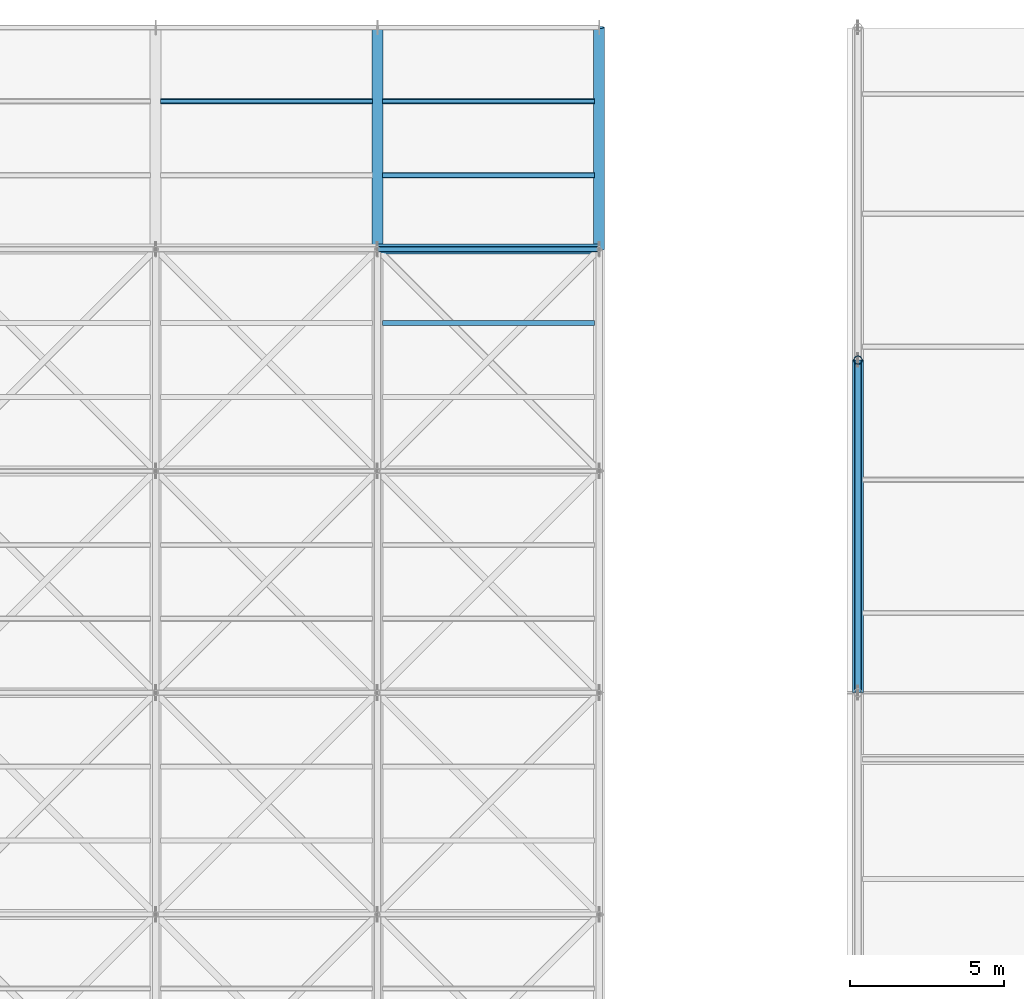
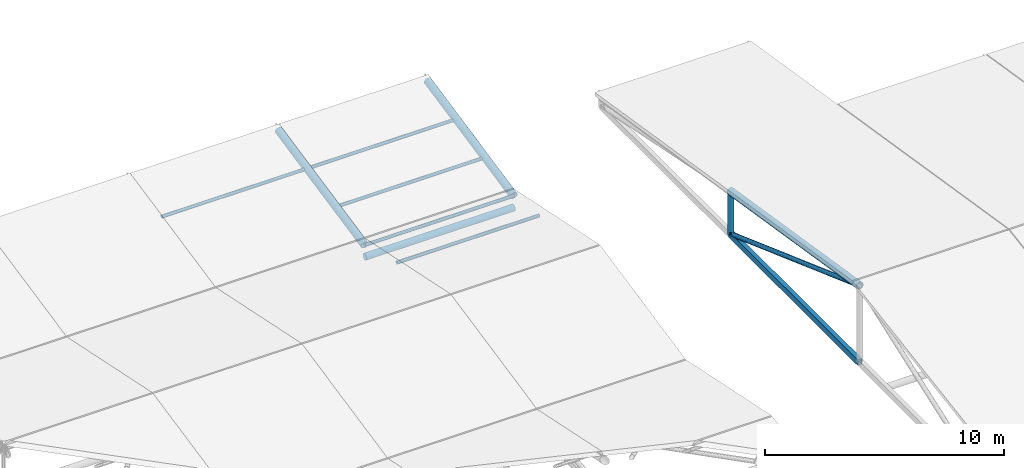
# One storey, part 38 of 72: 8 members, 4 beams.
"""IFC4 building model written with IfcOpenShell, lengths in metres."""

from ifc_helpers import new_model, si_unit, direction, frame, origin, origin_2d, place, context, subcontext, project, spatial, hollow_rectangle, hollow_circle, extrude, material, material_profile, profile_set, type_object, element, save


model = new_model("IFC4")

# Units and contexts
model_context = context("Model", 3, precision=1e-05, world=origin(), true_north=direction((0.0, 1.0)))
body_context = subcontext(model_context, "Body", "Model", "MODEL_VIEW")
ifc_project = project(units=[si_unit("LENGTHUNIT", "METRE"), si_unit("AREAUNIT", "SQUARE_METRE"), si_unit("VOLUMEUNIT", "CUBIC_METRE"), si_unit("PLANEANGLEUNIT", "RADIAN"), si_unit("MASSUNIT", "GRAM", prefix="KILO")], contexts=[model_context])

# Site, building, storey
site_placement = place(None, origin())
site = spatial("IfcSite", under=ifc_project, at=site_placement, CompositionType="ELEMENT")
building_placement = place(site_placement, origin())
building = spatial("IfcBuilding", under=site, at=building_placement, Name="Vaelcorin Mobility Hub", CompositionType="ELEMENT")
storey_placement = place(building_placement, frame((0.0, 0.0, 25.800048828125)))
storey = spatial("IfcBuildingStorey", under=building, at=storey_placement, Name="RF", CompositionType="ELEMENT", Elevation=25.800048828125)

# Members
ifc_material = material(Name="Steel ASTM A500 Grade C", Category="steel")
ifc_material_profile_1 = material_profile(ifc_material, hollow_circle(Radius=0.161865234375, WallThickness=0.0126953125, at=origin_2d()), Name="HSS12.750X0.500")
ifc_profile_set_1 = profile_set([ifc_material_profile_1], Name="Steel ASTM A500 Grade C")
member_type_1 = type_object("IfcMemberType", Name="SF-CHORD-12", PredefinedType="CHORD", material=ifc_profile_set_1)
member_1_placement = place(storey_placement, frame((108.0, 112.800048828125, -2.10009765625), z_axis=(1.0, 0.0, 0.0), x_axis=(0.0, 1.0, 0.0)))
element("IfcMember", 1, at=member_1_placement, inside=storey, type_object=member_type_1, Name="Sports Truss Lower Tie Strut 11-4", PredefinedType="CHORD", context=body_context, shape_type="SweptSolid", body=[
    extrude(hollow_circle(Radius=0.161865234375, WallThickness=0.0126953125, at=origin_2d()), origin(), (0.0, 0.0, 1.0), 7.199951171875),
])
ifc_material_profile_2 = material_profile(ifc_material, hollow_circle(Radius=0.136474609375, WallThickness=0.0126953125, at=origin_2d()), Name="HSS10.750X0.500")
ifc_profile_set_2 = profile_set([ifc_material_profile_2], Name="Steel ASTM A500 Grade C")
member_type_2 = type_object("IfcMemberType", Name="SF-POST-10", PredefinedType="POST", material=ifc_profile_set_2)
member_2_placement = place(storey_placement, frame((123.60009765625, 109.199951171875, -4.199951171875), z_axis=(0.0, 0.0, 1.0), x_axis=(1.0, 0.0, 0.0)))
element("IfcMember", 2, at=member_2_placement, inside=storey, type_object=member_type_2, Name="V2E Drum Roof Truss Post 1-3", PredefinedType="POST", context=body_context, shape_type="SweptSolid", body=[
    extrude(hollow_circle(Radius=0.136474609375, WallThickness=0.0126953125, at=origin_2d()), origin(), (0.0, 0.0, 1.0), 2.171875),
])
ifc_material_profile_3 = material_profile(ifc_material, hollow_circle(Radius=0.084228515625, WallThickness=0.0078125, at=origin_2d()), Name="HSS6.625X0.312")
ifc_profile_set_3 = profile_set([ifc_material_profile_3], Name="Steel ASTM A500 Grade C")
member_type_3 = type_object("IfcMemberType", Name="SF-PURL-6", PredefinedType="PURLIN", material=ifc_profile_set_3)
member_3_placement = place(storey_placement, frame((100.9599609375, 117.60009765625, -0.5), z_axis=(1.0, 0.0, 0.0), x_axis=(0.0, 1.0, 0.0)))
element("IfcMember", 3, at=member_3_placement, inside=storey, type_object=member_type_3, Name="Sports Roof Secondary Purlin 10-5-2", PredefinedType="PURLIN", context=body_context, shape_type="SweptSolid", body=[
    extrude(hollow_circle(Radius=0.084228515625, WallThickness=0.0078125, at=origin_2d()), origin(), (0.0, 0.0, 1.0), 6.880126953125),
])
member_4_placement = place(storey_placement, frame((108.0, 112.800048828125, -1.5), z_axis=(1.0, 0.0, 0.0), x_axis=(0.0, 1.0, 0.0)))
element("IfcMember", 4, at=member_4_placement, inside=storey, type_object=member_type_3, Name="Sports Pavilion Roof Purlin 11-4", PredefinedType="PURLIN", context=body_context, shape_type="SweptSolid", body=[
    extrude(hollow_circle(Radius=0.084228515625, WallThickness=0.0078125, at=origin_2d()), origin(), (0.0, 0.0, 1.0), 7.199951171875),
])
for number, where, z_axis, x_axis, name in (
    (5, (108.159912109375, 110.39990234375, -1.0), (1.0, 0.0, 0.0), (0.0, 1.0, 0.0), "Sports Roof Secondary Purlin 11-4-2"),
    (6, (108.159912109375, 115.199951171875, -1.0), (1.0, 0.0, 0.0), (0.0, 1.0, 0.0), "Sports Roof Secondary Purlin 11-5-1"),
    (7, (108.159912109375, 117.60009765625, -0.5), (1.0, 0.0, 0.0), (0.0, 1.0, 0.0), "Sports Roof Secondary Purlin 11-5-2"),
):
    element("IfcMember", number, at=place(storey_placement, frame(where, z_axis=z_axis, x_axis=x_axis)), inside=storey, type_object=member_type_3, Name=name, PredefinedType="PURLIN", context=body_context, shape_type="SweptSolid", body=[
        extrude(hollow_circle(Radius=0.084228515625, WallThickness=0.0078125, at=origin_2d()), origin(), (0.0, 0.0, 1.0), 6.880126953125),
    ])

# Beams
ifc_material_profile_4 = material_profile(ifc_material, hollow_circle(Radius=0.177734375, WallThickness=0.0126953125, at=origin_2d()), Name="HSS14.000X0.500")
ifc_profile_set_4 = profile_set([ifc_material_profile_4], Name="Steel ASTM A500 Grade C")
beam_type_1 = type_object("IfcBeamType", Name="TR-CHORD-14", PredefinedType="BEAM", material=ifc_profile_set_4)
for number, where, z_axis, x_axis, name in (
    (8, (108.0, 112.800048828125, -1.5), (0.0, 0.978980143565, 0.203955579738), (-1.0, 0.0, 0.0), "Sports Pavilion Roof Truss Upper Chord 10-5"),
    (9, (115.199951171875, 112.800048828125, -1.5), (0.0, 0.978980143565, 0.203955579738), (-1.0, 0.0, 0.0), "Sports Pavilion Roof Truss Upper Chord 11-5"),
):
    element("IfcBeam", number, at=place(storey_placement, frame(where, z_axis=z_axis, x_axis=x_axis)), inside=storey, type_object=beam_type_1, Name=name, PredefinedType="BEAM", context=body_context, shape_type="SweptSolid", body=[
        extrude(hollow_circle(Radius=0.177734375, WallThickness=0.0126953125, at=origin_2d()), origin(), (0.0, 0.0, 1.0), 7.3544921875),
    ])
beam_1_placement = place(storey_placement, frame((123.60009765625, 98.39990234375, -0.300048828125), z_axis=(0.0, 0.987440353331, -0.15799224226), x_axis=(-1.0, 0.0, 0.0)))
element("IfcBeam", 10, at=beam_1_placement, inside=storey, type_object=beam_type_1, Name="V2E Drum Roof Truss Upper Chord 1-3", PredefinedType="BEAM", context=body_context, shape_type="SweptSolid", body=[
    extrude(hollow_circle(Radius=0.177734375, WallThickness=0.0126953125, at=origin_2d()), origin(), (0.0, 0.0, 1.0), 10.9375),
])
ifc_material_profile_5 = material_profile(ifc_material, hollow_rectangle(XDim=0.203125, YDim=0.3046875, WallThickness=0.01171875, at=origin_2d()), Name="HSS12X8X0.500")
ifc_profile_set_5 = profile_set([ifc_material_profile_5], Name="Steel ASTM A500 Grade C")
beam_type_2 = type_object("IfcBeamType", Name="TR-CHORD-RHS12", PredefinedType="BEAM", material=ifc_profile_set_5)
beam_2_placement = place(storey_placement, frame((123.60009765625, 98.39990234375, -4.199951171875), z_axis=(0.0, 1.0, 0.0), x_axis=(-1.0, 0.0, 0.0)))
element("IfcBeam", 11, at=beam_2_placement, inside=storey, type_object=beam_type_2, Name="V2E Drum Roof Truss Lower Chord 1-3", PredefinedType="BEAM", context=body_context, shape_type="SweptSolid", body=[
    extrude(hollow_rectangle(XDim=0.203125, YDim=0.3046875, WallThickness=0.01171875, at=origin_2d()), origin(), (0.0, 0.0, 1.0), 10.800048828125),
])

# Member
ifc_material_profile_6 = material_profile(ifc_material, hollow_circle(Radius=0.109619140625, WallThickness=0.009521484375, at=origin_2d()), Name="HSS8.625X0.375")
ifc_profile_set_6 = profile_set([ifc_material_profile_6], Name="Steel ASTM A500 Grade C")
member_type_4 = type_object("IfcMemberType", Name="TR-WEB-8", PredefinedType="BRACE", material=ifc_profile_set_6)
member_5_placement = place(storey_placement, frame((123.60009765625, 98.39990234375, -0.300048828125), z_axis=(0.0, 0.940557107057, -0.339635581711), x_axis=(-1.0, 0.0, 0.0)))
element("IfcMember", 12, at=member_5_placement, inside=storey, type_object=member_type_4, Name="V2E Drum Roof Truss Web Diagonal 1-3", PredefinedType="BRACE", context=body_context, shape_type="SweptSolid", body=[
    extrude(hollow_circle(Radius=0.109619140625, WallThickness=0.009521484375, at=origin_2d()), origin(), (0.0, 0.0, 1.0), 11.482666015625),
])

save(model, "model.ifc")
